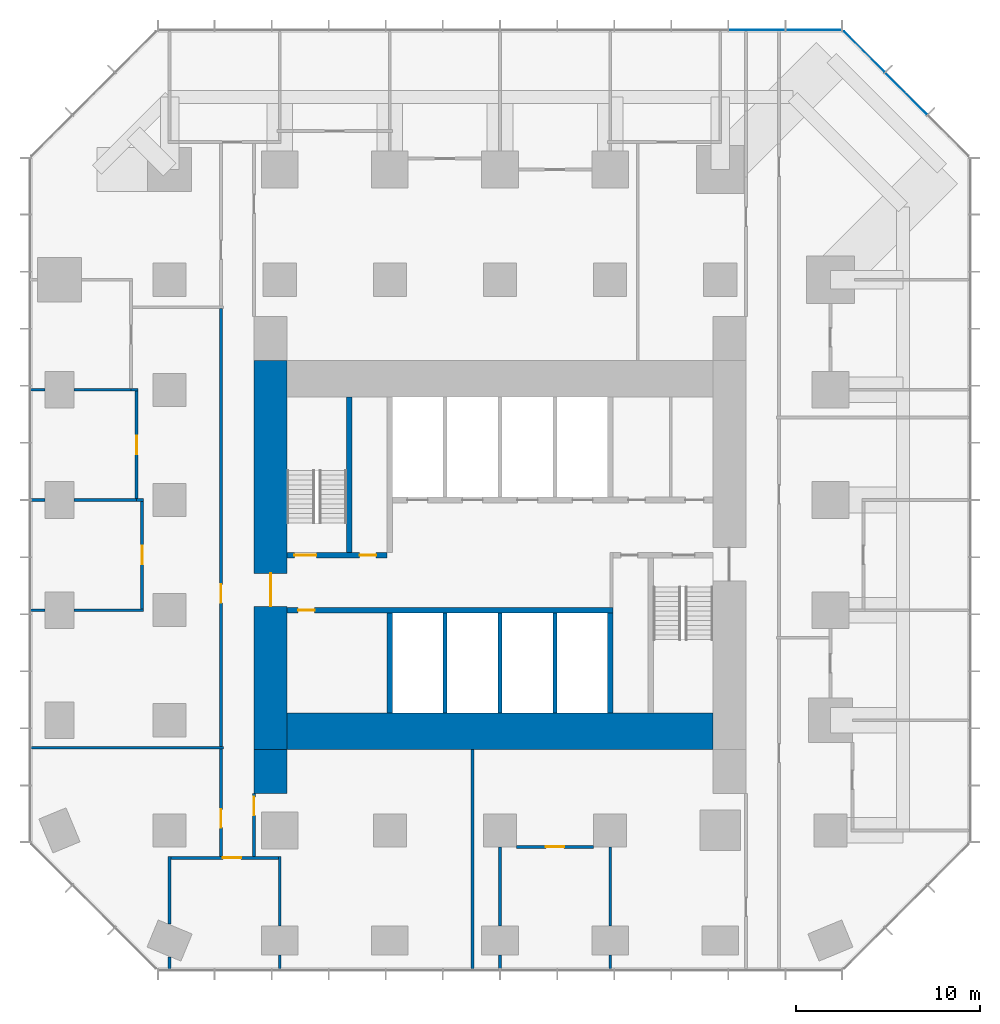
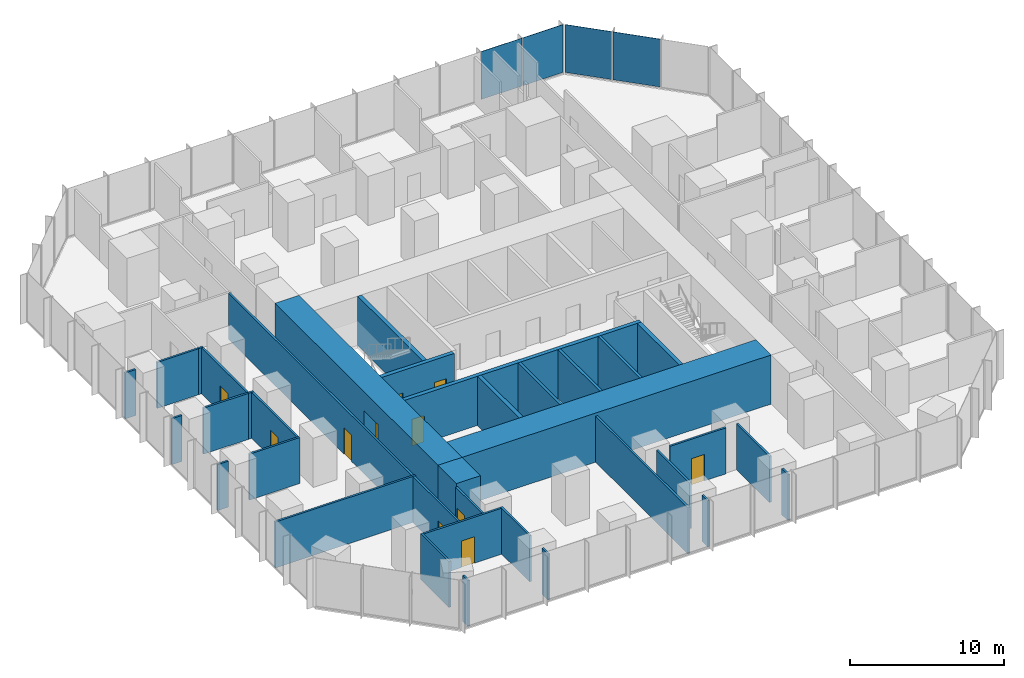
# One storey, part 8 of 12: 36 walls, 11 doors, 4 plates, 11 openings, 2 elements without a shape of their own.
"""IFC4 building model written with IfcOpenShell, lengths in metres."""

from ifc_helpers import new_model, si_unit, direction, frame, frame_2d, origin, origin_2d, place, context, subcontext, project, spatial, rectangle, extrude, material, layer, layer_set, type_object, element, fill, aggregate, save


model = new_model("IFC4")

# Units and contexts
model_context = context("Model", 3, precision=1e-05, world=origin(), true_north=direction((0.0, 1.0)))
body_context = subcontext(model_context, "Body", "Model", "MODEL_VIEW")
ifc_project = project(units=[si_unit("LENGTHUNIT", "METRE"), si_unit("AREAUNIT", "SQUARE_METRE"), si_unit("VOLUMEUNIT", "CUBIC_METRE"), si_unit("PLANEANGLEUNIT", "RADIAN"), si_unit("MASSUNIT", "GRAM", prefix="KILO")], contexts=[model_context])

# Site, building, storey
site_placement = place(None, origin())
site = spatial("IfcSite", under=ifc_project, at=site_placement, CompositionType="ELEMENT")
building_placement = place(site_placement, origin())
building = spatial("IfcBuilding", under=site, at=building_placement, Name="Highveld Stack Headquarters", CompositionType="ELEMENT")
storey_placement = place(building_placement, frame((0.0, 0.0, 80.60009765625)))
storey = spatial("IfcBuildingStorey", under=building, at=storey_placement, Name="L19", CompositionType="ELEMENT", Elevation=80.60009765625)

# Curtain wall, plates
ifc_material_1 = material(Name="Aluminium bronze anodised", Category="aluminium")
ifc_layer_1 = layer(ifc_material_1, 0.199951171875)
ifc_layer_set_1 = layer_set([ifc_layer_1], Name="Aluminium bronze anodised")
curtain_wall_type_1 = type_object("IfcCurtainWallType", Name="CW1 TOWER UNITISED CURTAIN WALL", PredefinedType="NOTDEFINED", material=ifc_layer_set_1)
curtain_wall_1_placement = place(storey_placement, origin())
curtain_wall_1 = element("IfcCurtainWall", 1, at=curtain_wall_1_placement, inside=storey, type_object=curtain_wall_type_1, Name="Curtain wall CW1 L19 N", PredefinedType="NOTDEFINED")
ifc_material_2 = material(Name="Glass bronze tinted double glazed unit", Category="glass")
ifc_layer_2 = layer(ifc_material_2, 0.028076171875)
ifc_layer_set_2 = layer_set([ifc_layer_2], Name="Glass bronze tinted double glazed unit")
plate_type_1 = type_object("IfcPlateType", Name="CW1 PANEL BRONZE TINTED DOUBLE GLAZED UNIT", PredefinedType="CURTAIN_PANEL", material=ifc_layer_set_2)
plate_1_placement = place(storey_placement, frame((23.09130859375, 31.60009765625, 0.10009765625), z_axis=(0.0, 0.0, 1.0), x_axis=(-1.0, 0.0, 0.0)))
plate_1 = element("IfcPlate", 2, at=plate_1_placement, type_object=plate_type_1, Name="CW1 panel L19 1.1", PredefinedType="CURTAIN_PANEL", context=body_context, shape_type="SweptSolid", body=[
    extrude(rectangle(XDim=3.012939453125, YDim=0.028076171875, at=origin_2d()), origin(), (0.0, 0.0, 1.0), 3.800048828125),
])
plate_2_placement = place(storey_placement, frame((19.9970703125, 31.60009765625, 0.10009765625), z_axis=(0.0, 0.0, 1.0), x_axis=(-1.0, 0.0, 0.0)))
plate_2 = element("IfcPlate", 3, at=plate_2_placement, type_object=plate_type_1, Name="CW1 panel L19 2.1", PredefinedType="CURTAIN_PANEL", context=body_context, shape_type="SweptSolid", body=[
    extrude(rectangle(XDim=3.04541015625, YDim=0.028076171875, at=origin_2d()), origin(), (0.0, 0.0, 1.0), 3.800048828125),
])
aggregate(curtain_wall_1, [plate_1, plate_2])

ifc_material_3 = material(Name="Aluminium bronze anodised", Category="aluminium")
ifc_layer_3 = layer(ifc_material_3, 0.199951171875)
ifc_layer_set_3 = layer_set([ifc_layer_3], Name="Aluminium bronze anodised")
curtain_wall_type_2 = type_object("IfcCurtainWallType", Name="CW2 TOWER CHAMFER UNITISED CURTAIN WALL", PredefinedType="NOTDEFINED", material=ifc_layer_set_3)
curtain_wall_2_placement = place(storey_placement, origin())
curtain_wall_2 = element("IfcCurtainWall", 4, at=curtain_wall_2_placement, inside=storey, type_object=curtain_wall_type_2, Name="Curtain wall CW2 L19 NE", PredefinedType="NOTDEFINED")
ifc_material_4 = material(Name="Glass bronze tinted double glazed unit", Category="glass")
ifc_layer_4 = layer(ifc_material_4, 0.028076171875)
ifc_layer_set_4 = layer_set([ifc_layer_4], Name="Glass bronze tinted double glazed unit")
plate_type_2 = type_object("IfcPlateType", Name="CW2 PANEL BRONZE TINTED DOUBLE GLAZED UNIT", PredefinedType="CURTAIN_PANEL", material=ifc_layer_set_4)
plate_3_placement = place(storey_placement, frame((28.13134765625, 28.13134765625, 0.10009765625), z_axis=(0.0, 0.0, 1.0), x_axis=(-0.707106781187, 0.707106781187, 0.0)))
plate_3 = element("IfcPlate", 5, at=plate_3_placement, type_object=plate_type_2, Name="CW2 panel L19 2.1", PredefinedType="CURTAIN_PANEL", context=body_context, shape_type="SweptSolid", body=[
    extrude(rectangle(XDim=3.205322265625, YDim=0.028076171875, at=origin_2d()), origin(), (0.0, 0.0, 1.0), 3.800048828125),
])
plate_4_placement = place(storey_placement, frame((25.8427734375, 30.419921875, 0.10009765625), z_axis=(0.0, 0.0, 1.0), x_axis=(-0.707106781187, 0.707106781187, 0.0)))
plate_4 = element("IfcPlate", 6, at=plate_4_placement, type_object=plate_type_2, Name="CW2 panel L19 3.1", PredefinedType="CURTAIN_PANEL", context=body_context, shape_type="SweptSolid", body=[
    extrude(rectangle(XDim=3.1376953125, YDim=0.028076171875, at=origin_2d()), origin(), (0.0, 0.0, 1.0), 3.800048828125),
])
aggregate(curtain_wall_2, [plate_3, plate_4])

# Wall, opening, door
ifc_material_5 = material(Name="Concrete C60/75", Category="concrete")
ifc_layer_5 = layer(ifc_material_5, 1.800048828125)
ifc_layer_set_5 = layer_set([ifc_layer_5], Name="Concrete C60/75")
wall_type_1 = type_object("IfcWallType", Name="CORE WALL 1800 C60/75", PredefinedType="SHEAR", material=ifc_layer_set_5)
wall_1_placement = place(storey_placement, frame((-6.5, -7.60009765625, 0.0), z_axis=(0.0, 0.0, 1.0), x_axis=(0.0, 1.0, 0.0)))
wall_1 = element("IfcWall", 7, at=wall_1_placement, inside=storey, type_object=wall_type_1, Name="Core wall W L19", PredefinedType="SHEAR", context=body_context, shape_type="SweptSolid", body=[
    extrude(rectangle(XDim=21.2001953125, YDim=1.800048828125, at=frame_2d((10.60009765625, 0.0))), origin(), (0.0, 0.0, 1.0), 3.89990234375),
])
opening_1_placement = place(wall_1_placement, frame((7.800048828125, 0.0, 0.0)))
opening_1 = element("IfcOpeningElement", 8, at=opening_1_placement, cuts=wall_1, Name="Opening L19-01", PredefinedType="OPENING", context=body_context, shape_type="SweptSolid", body=[
    extrude(rectangle(XDim=1.800048828125, YDim=2.39990234375, at=frame_2d((0.89990234375, 1.199951171875))), frame((0.0, 0.909912109375, 0.0), z_axis=(0.0, -1.0, 0.0), x_axis=(1.0, 0.0, 0.0)), (0.0, 0.0, 1.0), 1.820068359375),
])
ifc_material_6 = material(Name="Steel fire door", Category="steel")
door_type_1 = type_object("IfcDoorType", Name="LOBBY FIRE DOOR D4 1800x2400", OperationType="DOUBLE_DOOR_SINGLE_SWING", PredefinedType="DOOR", material=ifc_material_6)
door_1_placement = place(opening_1_placement, origin())
door_1 = element("IfcDoor", 9, at=door_1_placement, inside=storey, type_object=door_type_1, Name="Core west door L19", OperationType="DOUBLE_DOOR_SINGLE_SWING", OverallHeight=2.39990234375, OverallWidth=1.800048828125, PredefinedType="DOOR", context=body_context, shape_type="SweptSolid", body=[
    extrude(rectangle(XDim=1.800048828125, YDim=2.39990234375, at=frame_2d((0.89990234375, 1.199951171875))), frame((0.0, 0.02490234375, 0.0), z_axis=(0.0, -1.0, 0.0), x_axis=(1.0, 0.0, 0.0)), (0.0, 0.0, 1.0), 0.050048828125),
])
fill(opening_1, door_1)

# Wall
ifc_material_7 = material(Name="Concrete C60/75", Category="concrete")
ifc_layer_6 = layer(ifc_material_7, 2.0)
ifc_layer_set_6 = layer_set([ifc_layer_6], Name="Concrete C60/75")
wall_type_2 = type_object("IfcWallType", Name="CORE WALL 2000 C60/75", PredefinedType="SHEAR", material=ifc_layer_set_6)
wall_2_placement = place(storey_placement, frame((-5.60009765625, -6.60009765625, 0.0), z_axis=(0.0, 0.0, 1.0), x_axis=(1.0, 0.0, 0.0)))
element("IfcWall", 10, at=wall_2_placement, inside=storey, type_object=wall_type_2, Name="Core wall S L19", PredefinedType="SHEAR", context=body_context, shape_type="SweptSolid", body=[
    extrude(rectangle(XDim=23.2001953125, YDim=2.0, at=frame_2d((11.60009765625, 0.0))), origin(), (0.0, 0.0, 1.0), 3.89990234375),
])

# Wall, opening, door
ifc_material_8 = material(Name="Concrete C60/75", Category="concrete")
ifc_layer_7 = layer(ifc_material_8, 0.300048828125)
ifc_layer_set_7 = layer_set([ifc_layer_7], Name="Concrete C60/75")
wall_type_3 = type_object("IfcWallType", Name="CORE WALL 300 C60/75", PredefinedType="SHEAR", material=ifc_layer_set_7)
wall_3_placement = place(storey_placement, frame((-5.60009765625, 0.0, 0.0), z_axis=(0.0, 0.0, 1.0), x_axis=(1.0, 0.0, 0.0)))
wall_3 = element("IfcWall", 11, at=wall_3_placement, inside=storey, type_object=wall_type_3, Name="Core wall I-Y0 L19", PredefinedType="SHEAR", context=body_context, shape_type="SweptSolid", body=[
    extrude(rectangle(XDim=17.75, YDim=0.300048828125, at=frame_2d((8.875, 0.0))), origin(), (0.0, 0.0, 1.0), 3.89990234375),
])
opening_2_placement = place(wall_3_placement, frame((0.60009765625, 0.0, 0.0)))
opening_2 = element("IfcOpeningElement", 12, at=opening_2_placement, cuts=wall_3, Name="Opening L19-07", PredefinedType="OPENING", context=body_context, shape_type="SweptSolid", body=[
    extrude(rectangle(XDim=0.89990234375, YDim=2.10009765625, at=frame_2d((0.449951171875, 1.050048828125))), frame((0.0, 0.159912109375, 0.0), z_axis=(0.0, -1.0, 0.0), x_axis=(1.0, 0.0, 0.0)), (0.0, 0.0, 1.0), 0.320068359375),
])
ifc_material_9 = material(Name="Timber door, painted", Category="wood")
door_type_2 = type_object("IfcDoorType", Name="WC DOOR D1 900x2100", OperationType="SINGLE_SWING_LEFT", PredefinedType="DOOR", material=ifc_material_9)
door_2_placement = place(opening_2_placement, origin())
door_2 = element("IfcDoor", 13, at=door_2_placement, inside=storey, type_object=door_type_2, Name="Female WC door L19", OperationType="SINGLE_SWING_LEFT", OverallHeight=2.10009765625, OverallWidth=0.89990234375, PredefinedType="DOOR", context=body_context, shape_type="SweptSolid", body=[
    extrude(rectangle(XDim=0.89990234375, YDim=2.10009765625, at=frame_2d((0.449951171875, 1.050048828125))), frame((0.0, 0.02490234375, 0.0), z_axis=(0.0, -1.0, 0.0), x_axis=(1.0, 0.0, 0.0)), (0.0, 0.0, 1.0), 0.050048828125),
])
fill(opening_2, door_2)

# Wall, openings, doors
wall_4_placement = place(storey_placement, frame((-5.60009765625, 3.0, 0.0), z_axis=(0.0, 0.0, 1.0), x_axis=(1.0, 0.0, 0.0)))
wall_4 = element("IfcWall", 14, at=wall_4_placement, inside=storey, type_object=wall_type_3, Name="Core wall I-Y3W L19", PredefinedType="SHEAR", context=body_context, shape_type="SweptSolid", body=[
    extrude(rectangle(XDim=5.4501953125, YDim=0.300048828125, at=frame_2d((2.72509765625, 0.0))), origin(), (0.0, 0.0, 1.0), 3.89990234375),
])
opening_3_placement = place(wall_4_placement, frame((0.39990234375, 0.0, 0.0)))
opening_3 = element("IfcOpeningElement", 15, at=opening_3_placement, cuts=wall_4, Name="Opening L19-03", PredefinedType="OPENING", context=body_context, shape_type="SweptSolid", body=[
    extrude(rectangle(XDim=1.199951171875, YDim=2.10009765625, at=frame_2d((0.60009765625, 1.050048828125))), frame((0.0, 0.159912109375, 0.0), z_axis=(0.0, -1.0, 0.0), x_axis=(1.0, 0.0, 0.0)), (0.0, 0.0, 1.0), 0.320068359375),
])
opening_4_placement = place(wall_4_placement, frame((3.949951171875, 0.0, 0.0)))
opening_4 = element("IfcOpeningElement", 16, at=opening_4_placement, cuts=wall_4, Name="Opening L19-04", PredefinedType="OPENING", context=body_context, shape_type="SweptSolid", body=[
    extrude(rectangle(XDim=0.89990234375, YDim=2.10009765625, at=frame_2d((0.449951171875, 1.050048828125))), frame((0.0, 0.159912109375, 0.0), z_axis=(0.0, -1.0, 0.0), x_axis=(1.0, 0.0, 0.0)), (0.0, 0.0, 1.0), 0.320068359375),
])
ifc_material_10 = material(Name="Steel fire door", Category="steel")
door_type_3 = type_object("IfcDoorType", Name="RISER ACCESS DOOR D5 900x2100", OperationType="SINGLE_SWING_LEFT", PredefinedType="DOOR", material=ifc_material_10)
door_3_placement = place(opening_4_placement, origin())
door_3 = element("IfcDoor", 17, at=door_3_placement, inside=storey, type_object=door_type_3, Name="Riser R1 door L19", OperationType="SINGLE_SWING_RIGHT", OverallHeight=2.10009765625, OverallWidth=0.89990234375, PredefinedType="DOOR", context=body_context, shape_type="SweptSolid", body=[
    extrude(rectangle(XDim=0.89990234375, YDim=2.10009765625, at=frame_2d((0.449951171875, 1.050048828125))), frame((0.0, 0.02490234375, 0.0), z_axis=(0.0, -1.0, 0.0), x_axis=(1.0, 0.0, 0.0)), (0.0, 0.0, 1.0), 0.050048828125),
])
fill(opening_4, door_3)
ifc_material_11 = material(Name="Steel fire door", Category="steel")
door_type_4 = type_object("IfcDoorType", Name="STAIR FIRE DOOR D3 1200x2100", OperationType="SINGLE_SWING_LEFT", PredefinedType="DOOR", material=ifc_material_11)
door_4_placement = place(opening_3_placement, origin())
door_4 = element("IfcDoor", 18, at=door_4_placement, inside=storey, type_object=door_type_4, Name="Stair S1 door L19", OperationType="SINGLE_SWING_LEFT", OverallHeight=2.10009765625, OverallWidth=1.199951171875, PredefinedType="DOOR", context=body_context, shape_type="SweptSolid", body=[
    extrude(rectangle(XDim=1.199951171875, YDim=2.10009765625, at=frame_2d((0.60009765625, 1.050048828125))), frame((0.0, 0.02490234375, 0.0), z_axis=(0.0, -1.0, 0.0), x_axis=(1.0, 0.0, 0.0)), (0.0, 0.0, 1.0), 0.050048828125),
])
fill(opening_3, door_4)

# Walls
for number, where, z_axis, x_axis, name in (
    (19, (0.0, -5.60009765625, 0.0), (0.0, 0.0, 1.0), (0.0, 1.0, 0.0), "Core wall I-X0S L19"),
    (20, (12.0, -5.60009765625, 0.0), (0.0, 0.0, 1.0), (0.0, 1.0, 0.0), "Core wall I-X12S L19"),
):
    element("IfcWall", number, at=place(storey_placement, frame(where, z_axis=z_axis, x_axis=x_axis)), inside=storey, type_object=wall_type_3, Name=name, PredefinedType="SHEAR", context=body_context, shape_type="SweptSolid", body=[
        extrude(rectangle(XDim=5.4501953125, YDim=0.300048828125, at=frame_2d((2.72509765625, 0.0))), origin(), (0.0, 0.0, 1.0), 3.89990234375),
    ])
wall_5_placement = place(storey_placement, frame((-2.199951171875, 3.14990234375, 0.0), z_axis=(0.0, 0.0, 1.0), x_axis=(0.0, 1.0, 0.0)))
element("IfcWall", 21, at=wall_5_placement, inside=storey, type_object=wall_type_3, Name="Core wall I-RW L19", PredefinedType="SHEAR", context=body_context, shape_type="SweptSolid", body=[
    extrude(rectangle(XDim=8.4501953125, YDim=0.300048828125, at=frame_2d((4.22509765625, 0.0))), origin(), (0.0, 0.0, 1.0), 3.89990234375),
])
ifc_material_12 = material(Name="Concrete C60/75", Category="concrete")
ifc_layer_8 = layer(ifc_material_12, 1.800048828125)
ifc_layer_set_8 = layer_set([ifc_layer_8], Name="Concrete C60/75")
wall_type_4 = type_object("IfcWallType", Name="CORE WING WALL 1800 C60/75", PredefinedType="SHEAR", material=ifc_layer_set_8)
wall_6_placement = place(storey_placement, frame((-6.5, -10.0, 0.0), z_axis=(0.0, 0.0, 1.0), x_axis=(0.0, 1.0, 0.0)))
element("IfcWall", 22, at=wall_6_placement, inside=storey, type_object=wall_type_4, Name="Core wing wall WS L19", PredefinedType="SHEAR", context=body_context, shape_type="SweptSolid", body=[
    extrude(rectangle(XDim=2.39990234375, YDim=1.800048828125, at=frame_2d((1.199951171875, 0.0))), origin(), (0.0, 0.0, 1.0), 3.89990234375),
])
ifc_material_13 = material(Name="Concrete blockwork, fair-faced", Category="masonry")
ifc_layer_9 = layer(ifc_material_13, 0.199951171875)
ifc_layer_set_9 = layer_set([ifc_layer_9], Name="Concrete blockwork, fair-faced")
wall_type_5 = type_object("IfcWallType", Name="LIFT SHAFT ENCLOSURE WALL 200 BLOCKWORK", PredefinedType="SOLIDWALL", material=ifc_layer_set_9)
for number, where, z_axis, x_axis, name in (
    (23, (3.0, -5.60009765625, 0.0), (0.0, 0.0, 1.0), (0.0, 1.0, 0.0), "Lift shaft wall L19"),
    (24, (6.0, -5.60009765625, 0.0), (0.0, 0.0, 1.0), (0.0, 1.0, 0.0), "Lift shaft wall L19"),
    (25, (9.0, -5.60009765625, 0.0), (0.0, 0.0, 1.0), (0.0, 1.0, 0.0), "Lift shaft wall L19"),
):
    element("IfcWall", number, at=place(storey_placement, frame(where, z_axis=z_axis, x_axis=x_axis)), inside=storey, type_object=wall_type_5, Name=name, PredefinedType="SOLIDWALL", context=body_context, shape_type="SweptSolid", body=[
        extrude(rectangle(XDim=5.4501953125, YDim=0.199951171875, at=frame_2d((2.72509765625, 0.0))), origin(), (0.0, 0.0, 1.0), 3.89990234375),
    ])

# Wall, opening, door
ifc_material_14 = material(Name="Gypsum plasterboard on steel studs", Category="steel")
ifc_layer_10 = layer(ifc_material_14, 0.14990234375)
ifc_layer_set_10 = layer_set([ifc_layer_10], Name="Gypsum plasterboard on steel studs")
wall_type_6 = type_object("IfcWallType", Name="PARTITION 150 PLASTERBOARD", PredefinedType="PARTITIONING", material=ifc_layer_set_10)
wall_7_placement = place(storey_placement, frame((-11.925048828125, -13.5, 0.0), z_axis=(0.0, 0.0, 1.0), x_axis=(1.0, 0.0, 0.0)))
wall_7 = element("IfcWall", 26, at=wall_7_placement, inside=storey, type_object=wall_type_6, Name="Partition Quiet room L19", PredefinedType="PARTITIONING", context=body_context, shape_type="SweptSolid", body=[
    extrude(rectangle(XDim=5.85009765625, YDim=0.14990234375, at=frame_2d((2.925048828125, 0.0))), origin(), (0.0, 0.0, 1.0), 3.64990234375),
])
opening_5_placement = place(wall_7_placement, frame((2.824951171875, 0.0, 0.0)))
opening_5 = element("IfcOpeningElement", 27, at=opening_5_placement, cuts=wall_7, Name="Opening L19-10", PredefinedType="OPENING", context=body_context, shape_type="SweptSolid", body=[
    extrude(rectangle(XDim=1.0, YDim=2.10009765625, at=frame_2d((0.5, 1.050048828125))), frame((0.0, 0.0849609375, 0.0), z_axis=(0.0, -1.0, 0.0), x_axis=(1.0, 0.0, 0.0)), (0.0, 0.0, 1.0), 0.169921875),
])
ifc_material_15 = material(Name="Timber door, oiled ash", Category="wood")
door_type_5 = type_object("IfcDoorType", Name="ROOM DOOR D6 1000x2100", OperationType="SINGLE_SWING_LEFT", PredefinedType="DOOR", material=ifc_material_15)
door_5_placement = place(opening_5_placement, origin())
door_5 = element("IfcDoor", 28, at=door_5_placement, inside=storey, type_object=door_type_5, Name="Quiet room door 1 L19", OperationType="SINGLE_SWING_RIGHT", OverallHeight=2.10009765625, OverallWidth=1.0, PredefinedType="DOOR", context=body_context, shape_type="SweptSolid", body=[
    extrude(rectangle(XDim=1.0, YDim=2.10009765625, at=frame_2d((0.5, 1.050048828125))), frame((0.0, 0.02490234375, 0.0), z_axis=(0.0, -1.0, 0.0), x_axis=(1.0, 0.0, 0.0)), (0.0, 0.0, 1.0), 0.050048828125),
])
fill(opening_5, door_5)

wall_8_placement = place(storey_placement, frame((6.89990234375, -12.89990234375, 0.0), z_axis=(0.0, 0.0, 1.0), x_axis=(1.0, 0.0, 0.0)))
wall_8 = element("IfcWall", 29, at=wall_8_placement, inside=storey, type_object=wall_type_6, Name="Partition Interview room L19", PredefinedType="PARTITIONING", context=body_context, shape_type="SweptSolid", body=[
    extrude(rectangle(XDim=4.2001953125, YDim=0.14990234375, at=frame_2d((2.10009765625, 0.0))), origin(), (0.0, 0.0, 1.0), 3.64990234375),
])
opening_6_placement = place(wall_8_placement, frame((1.60009765625, 0.0, 0.0)))
opening_6 = element("IfcOpeningElement", 30, at=opening_6_placement, cuts=wall_8, Name="Opening L19-11", PredefinedType="OPENING", context=body_context, shape_type="SweptSolid", body=[
    extrude(rectangle(XDim=1.0, YDim=2.10009765625, at=frame_2d((0.5, 1.050048828125))), frame((0.0, 0.0849609375, 0.0), z_axis=(0.0, -1.0, 0.0), x_axis=(1.0, 0.0, 0.0)), (0.0, 0.0, 1.0), 0.169921875),
])
door_6_placement = place(opening_6_placement, origin())
door_6 = element("IfcDoor", 31, at=door_6_placement, inside=storey, type_object=door_type_5, Name="Interview room door 1 L19", OperationType="SINGLE_SWING_LEFT", OverallHeight=2.10009765625, OverallWidth=1.0, PredefinedType="DOOR", context=body_context, shape_type="SweptSolid", body=[
    extrude(rectangle(XDim=1.0, YDim=2.10009765625, at=frame_2d((0.5, 1.050048828125))), frame((0.0, 0.02490234375, 0.0), z_axis=(0.0, -1.0, 0.0), x_axis=(1.0, 0.0, 0.0)), (0.0, 0.0, 1.0), 0.050048828125),
])
fill(opening_6, door_6)

# Walls
wall_9_placement = place(storey_placement, frame((-19.60009765625, 0.0, 0.0), z_axis=(0.0, 0.0, 1.0), x_axis=(1.0, 0.0, 0.0)))
element("IfcWall", 32, at=wall_9_placement, inside=storey, type_object=wall_type_6, Name="Partition Quiet room L19", PredefinedType="PARTITIONING", context=body_context, shape_type="SweptSolid", body=[
    extrude(rectangle(XDim=0.800048828125, YDim=0.14990234375, at=frame_2d((0.39990234375, 0.0))), origin(), (0.0, 0.0, 1.0), 3.64990234375),
])
wall_10_placement = place(storey_placement, frame((-17.199951171875, 0.0, 0.0), z_axis=(0.0, 0.0, 1.0), x_axis=(1.0, 0.0, 0.0)))
element("IfcWall", 33, at=wall_10_placement, inside=storey, type_object=wall_type_6, Name="Partition Quiet room L19", PredefinedType="PARTITIONING", context=body_context, shape_type="SweptSolid", body=[
    extrude(rectangle(XDim=3.77490234375, YDim=0.14990234375, at=frame_2d((1.887451171875, 0.0))), origin(), (0.0, 0.0, 1.0), 3.64990234375),
])
wall_11_placement = place(storey_placement, frame((-19.550048828125, 6.0, 0.0), z_axis=(0.0, 0.0, 1.0), x_axis=(1.0, 0.0, 0.0)))
element("IfcWall", 34, at=wall_11_placement, inside=storey, type_object=wall_type_6, Name="Partition Print room / Quiet room L19", PredefinedType="PARTITIONING", context=body_context, shape_type="SweptSolid", body=[
    extrude(rectangle(XDim=0.75, YDim=0.14990234375, at=frame_2d((0.375, 0.0))), origin(), (0.0, 0.0, 1.0), 3.64990234375),
])
wall_12_placement = place(storey_placement, frame((-17.199951171875, 6.0, 0.0), z_axis=(0.0, 0.0, 1.0), x_axis=(1.0, 0.0, 0.0)))
element("IfcWall", 35, at=wall_12_placement, inside=storey, type_object=wall_type_6, Name="Partition Print room / Quiet room L19", PredefinedType="PARTITIONING", context=body_context, shape_type="SweptSolid", body=[
    extrude(rectangle(XDim=3.474853515625, YDim=0.14990234375, at=frame_2d((1.7373046875, 0.0))), origin(), (0.0, 0.0, 1.0), 3.64990234375),
])
wall_13_placement = place(storey_placement, frame((-13.800048828125, 6.0, 0.0), z_axis=(0.0, 0.0, 1.0), x_axis=(1.0, 0.0, 0.0)))
element("IfcWall", 36, at=wall_13_placement, inside=storey, type_object=wall_type_6, Name="Partition Quiet room L19", PredefinedType="PARTITIONING", context=body_context, shape_type="SweptSolid", body=[
    extrude(rectangle(XDim=0.375, YDim=0.14990234375, at=frame_2d((0.1875, 0.0))), origin(), (0.0, 0.0, 1.0), 3.64990234375),
])
wall_14_placement = place(storey_placement, frame((-19.60009765625, 12.0, 0.0), z_axis=(0.0, 0.0, 1.0), x_axis=(1.0, 0.0, 0.0)))
element("IfcWall", 37, at=wall_14_placement, inside=storey, type_object=wall_type_6, Name="Partition Focus room / Print room L19", PredefinedType="PARTITIONING", context=body_context, shape_type="SweptSolid", body=[
    extrude(rectangle(XDim=0.800048828125, YDim=0.14990234375, at=frame_2d((0.39990234375, 0.0))), origin(), (0.0, 0.0, 1.0), 3.64990234375),
])
wall_15_placement = place(storey_placement, frame((-17.199951171875, 12.0, 0.0), z_axis=(0.0, 0.0, 1.0), x_axis=(1.0, 0.0, 0.0)))
element("IfcWall", 38, at=wall_15_placement, inside=storey, type_object=wall_type_6, Name="Partition Focus room / Print room L19", PredefinedType="PARTITIONING", context=body_context, shape_type="SweptSolid", body=[
    extrude(rectangle(XDim=3.175048828125, YDim=0.14990234375, at=frame_2d((1.58740234375, 0.0))), origin(), (0.0, 0.0, 1.0), 3.64990234375),
])
wall_16_placement = place(storey_placement, frame((-14.10009765625, 12.0, 0.0), z_axis=(0.0, 0.0, 1.0), x_axis=(1.0, 0.0, 0.0)))
element("IfcWall", 39, at=wall_16_placement, inside=storey, type_object=wall_type_6, Name="Partition Print room L19", PredefinedType="PARTITIONING", context=body_context, shape_type="SweptSolid", body=[
    extrude(rectangle(XDim=0.375, YDim=0.14990234375, at=frame_2d((0.1875, 0.0))), origin(), (0.0, 0.0, 1.0), 3.64990234375),
])

# Wall, opening, door
wall_17_placement = place(storey_placement, frame((-13.800048828125, 6.074951171875, 0.0), z_axis=(0.0, 0.0, 1.0), x_axis=(0.0, 1.0, 0.0)))
wall_17 = element("IfcWall", 40, at=wall_17_placement, inside=storey, type_object=wall_type_6, Name="Partition Print room L19", PredefinedType="PARTITIONING", context=body_context, shape_type="SweptSolid", body=[
    extrude(rectangle(XDim=5.85009765625, YDim=0.14990234375, at=frame_2d((2.925048828125, 0.0))), origin(), (0.0, 0.0, 1.0), 3.64990234375),
])
opening_7_placement = place(wall_17_placement, frame((2.425048828125, 0.0, 0.0)))
opening_7 = element("IfcOpeningElement", 41, at=opening_7_placement, cuts=wall_17, Name="Opening L19-13", PredefinedType="OPENING", context=body_context, shape_type="SweptSolid", body=[
    extrude(rectangle(XDim=1.0, YDim=2.10009765625, at=frame_2d((0.5, 1.050048828125))), frame((0.0, 0.0849609375, 0.0), z_axis=(0.0, -1.0, 0.0), x_axis=(1.0, 0.0, 0.0)), (0.0, 0.0, 1.0), 0.169921875),
])
door_7_placement = place(opening_7_placement, origin())
door_7 = element("IfcDoor", 42, at=door_7_placement, inside=storey, type_object=door_type_5, Name="Print room door 1 L19", OperationType="SINGLE_SWING_RIGHT", OverallHeight=2.10009765625, OverallWidth=1.0, PredefinedType="DOOR", context=body_context, shape_type="SweptSolid", body=[
    extrude(rectangle(XDim=1.0, YDim=2.10009765625, at=frame_2d((0.5, 1.050048828125))), frame((0.0, 0.02490234375, 0.0), z_axis=(0.0, -1.0, 0.0), x_axis=(1.0, 0.0, 0.0)), (0.0, 0.0, 1.0), 0.050048828125),
])
fill(opening_7, door_7)

wall_18_placement = place(storey_placement, frame((-13.5, 0.074951171875, 0.0), z_axis=(0.0, 0.0, 1.0), x_axis=(0.0, 1.0, 0.0)))
wall_18 = element("IfcWall", 43, at=wall_18_placement, inside=storey, type_object=wall_type_6, Name="Partition Quiet room L19", PredefinedType="PARTITIONING", context=body_context, shape_type="SweptSolid", body=[
    extrude(rectangle(XDim=5.85009765625, YDim=0.14990234375, at=frame_2d((2.925048828125, 0.0))), origin(), (0.0, 0.0, 1.0), 3.64990234375),
])
opening_8_placement = place(wall_18_placement, frame((2.425048828125, 0.0, 0.0)))
opening_8 = element("IfcOpeningElement", 44, at=opening_8_placement, cuts=wall_18, Name="Opening L19-12", PredefinedType="OPENING", context=body_context, shape_type="SweptSolid", body=[
    extrude(rectangle(XDim=1.0, YDim=2.10009765625, at=frame_2d((0.5, 1.050048828125))), frame((0.0, 0.0849609375, 0.0), z_axis=(0.0, -1.0, 0.0), x_axis=(1.0, 0.0, 0.0)), (0.0, 0.0, 1.0), 0.169921875),
])
door_8_placement = place(opening_8_placement, origin())
door_8 = element("IfcDoor", 45, at=door_8_placement, inside=storey, type_object=door_type_5, Name="Quiet room door 1 L19", OperationType="SINGLE_SWING_LEFT", OverallHeight=2.10009765625, OverallWidth=1.0, PredefinedType="DOOR", context=body_context, shape_type="SweptSolid", body=[
    extrude(rectangle(XDim=1.0, YDim=2.10009765625, at=frame_2d((0.5, 1.050048828125))), frame((0.0, 0.02490234375, 0.0), z_axis=(0.0, -1.0, 0.0), x_axis=(1.0, 0.0, 0.0)), (0.0, 0.0, 1.0), 0.050048828125),
])
fill(opening_8, door_8)

# Walls
wall_19_placement = place(storey_placement, frame((-12.0, -19.60009765625, 0.0), z_axis=(0.0, 0.0, 1.0), x_axis=(0.0, 1.0, 0.0)))
element("IfcWall", 46, at=wall_19_placement, inside=storey, type_object=wall_type_6, Name="Partition Quiet room L19", PredefinedType="PARTITIONING", context=body_context, shape_type="SweptSolid", body=[
    extrude(rectangle(XDim=0.703125, YDim=0.14990234375, at=frame_2d((0.3515625, 0.0))), origin(), (0.0, 0.0, 1.0), 3.64990234375),
])
wall_20_placement = place(storey_placement, frame((-12.0, -17.10302734375, 0.0), z_axis=(0.0, 0.0, 1.0), x_axis=(0.0, 1.0, 0.0)))
element("IfcWall", 47, at=wall_20_placement, inside=storey, type_object=wall_type_6, Name="Partition Quiet room L19", PredefinedType="PARTITIONING", context=body_context, shape_type="SweptSolid", body=[
    extrude(rectangle(XDim=3.677978515625, YDim=0.14990234375, at=frame_2d((1.8388671875, 0.0))), origin(), (0.0, 0.0, 1.0), 3.64990234375),
])
wall_21_placement = place(storey_placement, frame((-6.0, -19.60009765625, 0.0), z_axis=(0.0, 0.0, 1.0), x_axis=(0.0, 1.0, 0.0)))
element("IfcWall", 48, at=wall_21_placement, inside=storey, type_object=wall_type_6, Name="Partition Quiet room L19", PredefinedType="PARTITIONING", context=body_context, shape_type="SweptSolid", body=[
    extrude(rectangle(XDim=0.800048828125, YDim=0.14990234375, at=frame_2d((0.39990234375, 0.0))), origin(), (0.0, 0.0, 1.0), 3.64990234375),
])
wall_22_placement = place(storey_placement, frame((-6.0, -17.199951171875, 0.0), z_axis=(0.0, 0.0, 1.0), x_axis=(0.0, 1.0, 0.0)))
element("IfcWall", 49, at=wall_22_placement, inside=storey, type_object=wall_type_6, Name="Partition Quiet room L19", PredefinedType="PARTITIONING", context=body_context, shape_type="SweptSolid", body=[
    extrude(rectangle(XDim=3.77490234375, YDim=0.14990234375, at=frame_2d((1.887451171875, 0.0))), origin(), (0.0, 0.0, 1.0), 3.64990234375),
])
wall_23_placement = place(storey_placement, frame((6.0, -19.550048828125, 0.0), z_axis=(0.0, 0.0, 1.0), x_axis=(0.0, 1.0, 0.0)))
element("IfcWall", 50, at=wall_23_placement, inside=storey, type_object=wall_type_6, Name="Partition Interview room L19", PredefinedType="PARTITIONING", context=body_context, shape_type="SweptSolid", body=[
    extrude(rectangle(XDim=0.75, YDim=0.14990234375, at=frame_2d((0.375, 0.0))), origin(), (0.0, 0.0, 1.0), 3.64990234375),
])
wall_24_placement = place(storey_placement, frame((6.0, -17.199951171875, 0.0), z_axis=(0.0, 0.0, 1.0), x_axis=(0.0, 1.0, 0.0)))
element("IfcWall", 51, at=wall_24_placement, inside=storey, type_object=wall_type_6, Name="Partition Interview room L19", PredefinedType="PARTITIONING", context=body_context, shape_type="SweptSolid", body=[
    extrude(rectangle(XDim=4.300048828125, YDim=0.14990234375, at=frame_2d((2.14990234375, 0.0))), origin(), (0.0, 0.0, 1.0), 3.64990234375),
])
wall_25_placement = place(storey_placement, frame((12.0, -19.60009765625, 0.0), z_axis=(0.0, 0.0, 1.0), x_axis=(0.0, 1.0, 0.0)))
element("IfcWall", 52, at=wall_25_placement, inside=storey, type_object=wall_type_6, Name="Partition Interview room L19", PredefinedType="PARTITIONING", context=body_context, shape_type="SweptSolid", body=[
    extrude(rectangle(XDim=0.800048828125, YDim=0.14990234375, at=frame_2d((0.39990234375, 0.0))), origin(), (0.0, 0.0, 1.0), 3.64990234375),
])
wall_26_placement = place(storey_placement, frame((12.0, -17.199951171875, 0.0), z_axis=(0.0, 0.0, 1.0), x_axis=(0.0, 1.0, 0.0)))
element("IfcWall", 53, at=wall_26_placement, inside=storey, type_object=wall_type_6, Name="Partition Interview room L19", PredefinedType="PARTITIONING", context=body_context, shape_type="SweptSolid", body=[
    extrude(rectangle(XDim=4.300048828125, YDim=0.14990234375, at=frame_2d((2.14990234375, 0.0))), origin(), (0.0, 0.0, 1.0), 3.64990234375),
])
wall_27_placement = place(storey_placement, frame((-19.60009765625, -7.5, 0.0), z_axis=(0.0, 0.0, 1.0), x_axis=(1.0, 0.0, 0.0)))
element("IfcWall", 54, at=wall_27_placement, inside=storey, type_object=wall_type_6, Name="Partition office neighbourhood L19", PredefinedType="PARTITIONING", context=body_context, shape_type="SweptSolid", body=[
    extrude(rectangle(XDim=10.550048828125, YDim=0.14990234375, at=frame_2d((5.27490234375, 0.0))), origin(), (0.0, 0.0, 1.0), 3.64990234375),
])

# Wall, opening, door
wall_28_placement = place(storey_placement, frame((-9.199951171875, -13.425048828125, 0.0), z_axis=(0.0, 0.0, 1.0), x_axis=(0.0, 1.0, 0.0)))
wall_28 = element("IfcWall", 55, at=wall_28_placement, inside=storey, type_object=wall_type_6, Name="Partition office neighbourhood L19", PredefinedType="PARTITIONING", context=body_context, shape_type="SweptSolid", body=[
    extrude(rectangle(XDim=5.85009765625, YDim=0.14990234375, at=frame_2d((2.925048828125, 0.0))), origin(), (0.0, 0.0, 1.0), 3.64990234375),
])
opening_9_placement = place(wall_28_placement, frame((1.573974609375, 0.0, 0.0)))
opening_9 = element("IfcOpeningElement", 56, at=opening_9_placement, cuts=wall_28, Name="Opening L19-26", PredefinedType="OPENING", context=body_context, shape_type="SweptSolid", body=[
    extrude(rectangle(XDim=1.0, YDim=2.10009765625, at=frame_2d((0.5, 1.050048828125))), frame((0.0, 0.0849609375, 0.0), z_axis=(0.0, -1.0, 0.0), x_axis=(1.0, 0.0, 0.0)), (0.0, 0.0, 1.0), 0.169921875),
])
door_9_placement = place(opening_9_placement, origin())
door_9 = element("IfcDoor", 57, at=door_9_placement, inside=storey, type_object=door_type_5, Name="Office neighbourhood door L19", OperationType="SINGLE_SWING_LEFT", OverallHeight=2.10009765625, OverallWidth=1.0, PredefinedType="DOOR", context=body_context, shape_type="SweptSolid", body=[
    extrude(rectangle(XDim=1.0, YDim=2.10009765625, at=frame_2d((0.5, 1.050048828125))), frame((0.0, 0.02490234375, 0.0), z_axis=(0.0, -1.0, 0.0), x_axis=(1.0, 0.0, 0.0)), (0.0, 0.0, 1.0), 0.050048828125),
])
fill(opening_9, door_9)

wall_29_placement = place(storey_placement, frame((-9.199951171875, -7.425048828125, 0.0), z_axis=(0.0, 0.0, 1.0), x_axis=(0.0, 1.0, 0.0)))
wall_29 = element("IfcWall", 58, at=wall_29_placement, inside=storey, type_object=wall_type_6, Name="Partition office neighbourhood L19", PredefinedType="PARTITIONING", context=body_context, shape_type="SweptSolid", body=[
    extrude(rectangle(XDim=23.85009765625, YDim=0.14990234375, at=frame_2d((11.925048828125, 0.0))), origin(), (0.0, 0.0, 1.0), 3.64990234375),
])
opening_10_placement = place(wall_29_placement, frame((7.824951171875, 0.0, 0.0)))
opening_10 = element("IfcOpeningElement", 59, at=opening_10_placement, cuts=wall_29, Name="Opening L19-27", PredefinedType="OPENING", context=body_context, shape_type="SweptSolid", body=[
    extrude(rectangle(XDim=1.0, YDim=2.10009765625, at=frame_2d((0.5, 1.050048828125))), frame((0.0, 0.0849609375, 0.0), z_axis=(0.0, -1.0, 0.0), x_axis=(1.0, 0.0, 0.0)), (0.0, 0.0, 1.0), 0.169921875),
])
door_10_placement = place(opening_10_placement, origin())
door_10 = element("IfcDoor", 60, at=door_10_placement, inside=storey, type_object=door_type_5, Name="Office neighbourhood door L19", OperationType="SINGLE_SWING_LEFT", OverallHeight=2.10009765625, OverallWidth=1.0, PredefinedType="DOOR", context=body_context, shape_type="SweptSolid", body=[
    extrude(rectangle(XDim=1.0, YDim=2.10009765625, at=frame_2d((0.5, 1.050048828125))), frame((0.0, 0.02490234375, 0.0), z_axis=(0.0, -1.0, 0.0), x_axis=(1.0, 0.0, 0.0)), (0.0, 0.0, 1.0), 0.050048828125),
])
fill(opening_10, door_10)

wall_30_placement = place(storey_placement, frame((-7.39990234375, -13.425048828125, 0.0), z_axis=(0.0, 0.0, 1.0), x_axis=(0.0, 1.0, 0.0)))
wall_30 = element("IfcWall", 61, at=wall_30_placement, inside=storey, type_object=wall_type_6, Name="Partition office neighbourhood L19", PredefinedType="PARTITIONING", context=body_context, shape_type="SweptSolid", body=[
    extrude(rectangle(XDim=3.425048828125, YDim=0.14990234375, at=frame_2d((1.71240234375, 0.0))), origin(), (0.0, 0.0, 1.0), 3.64990234375),
])
opening_11_placement = place(wall_30_placement, frame((2.25, 0.0, 0.0)))
opening_11 = element("IfcOpeningElement", 62, at=opening_11_placement, cuts=wall_30, Name="Opening L19-33", PredefinedType="OPENING", context=body_context, shape_type="SweptSolid", body=[
    extrude(rectangle(XDim=1.0, YDim=2.10009765625, at=frame_2d((0.5, 1.050048828125))), frame((0.0, 0.0849609375, 0.0), z_axis=(0.0, -1.0, 0.0), x_axis=(1.0, 0.0, 0.0)), (0.0, 0.0, 1.0), 0.169921875),
])
door_11_placement = place(opening_11_placement, origin())
door_11 = element("IfcDoor", 63, at=door_11_placement, inside=storey, type_object=door_type_5, Name="Office neighbourhood door L19", OperationType="SINGLE_SWING_RIGHT", OverallHeight=2.10009765625, OverallWidth=1.0, PredefinedType="DOOR", context=body_context, shape_type="SweptSolid", body=[
    extrude(rectangle(XDim=1.0, YDim=2.10009765625, at=frame_2d((0.5, 1.050048828125))), frame((0.0, 0.02490234375, 0.0), z_axis=(0.0, -1.0, 0.0), x_axis=(1.0, 0.0, 0.0)), (0.0, 0.0, 1.0), 0.050048828125),
])
fill(opening_11, door_11)

# Wall
wall_31_placement = place(storey_placement, frame((4.5, -19.60009765625, 0.0), z_axis=(0.0, 0.0, 1.0), x_axis=(0.0, 1.0, 0.0)))
element("IfcWall", 64, at=wall_31_placement, inside=storey, type_object=wall_type_6, Name="Partition office neighbourhood L19", PredefinedType="PARTITIONING", context=body_context, shape_type="SweptSolid", body=[
    extrude(rectangle(XDim=12.0, YDim=0.14990234375, at=frame_2d((6.0, 0.0))), origin(), (0.0, 0.0, 1.0), 3.64990234375),
])

save(model, "model.ifc")
